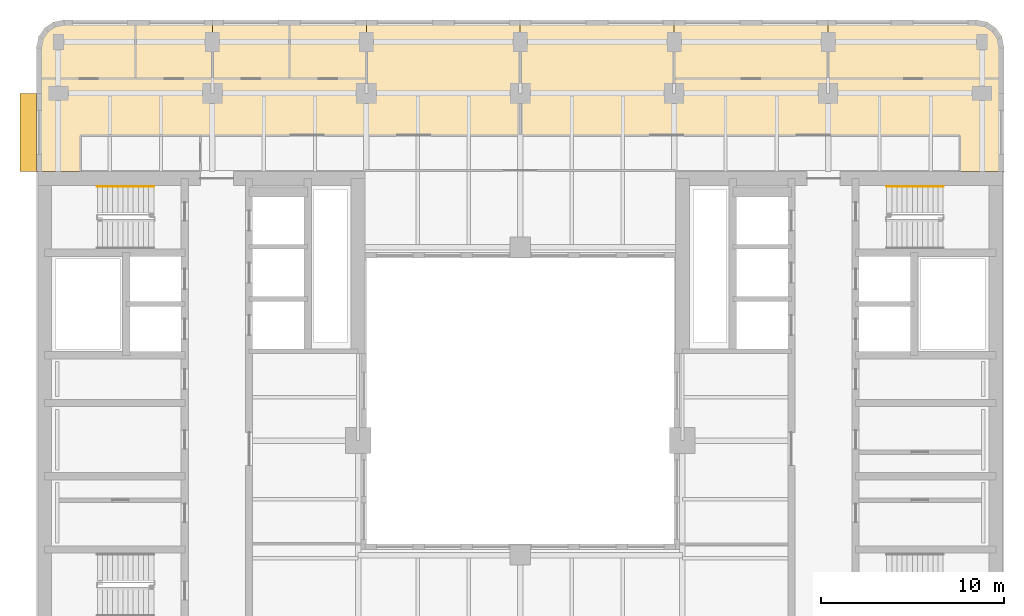
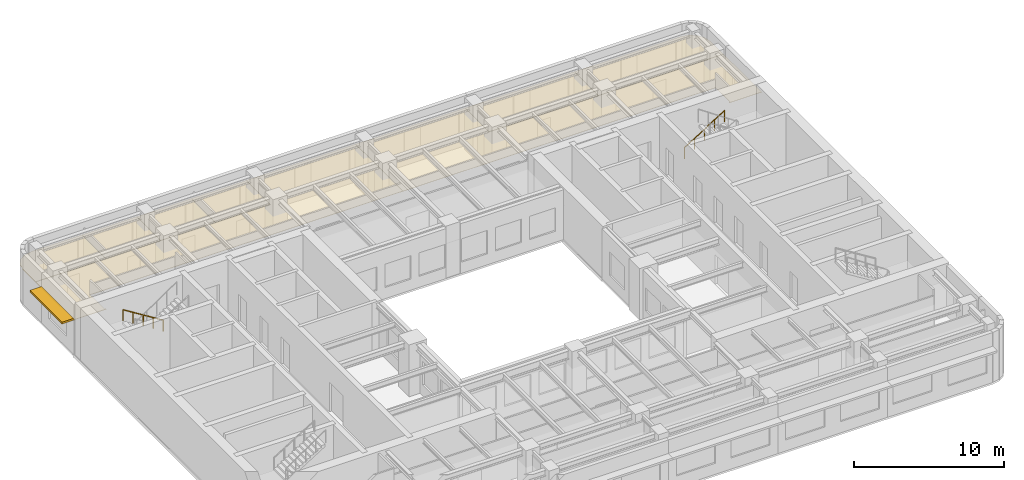
# One storey, part 11 of 11: 8 coverings, 2 railings, 1 shading device.
"""IFC4 building model written with IfcOpenShell, lengths in metres."""

from ifc_helpers import new_model, si_unit, direction, frame, origin, origin_2d, place, context, subcontext, project, spatial, polyline, rectangle, circle, outline, extrude, material, layer, layer_set, type_object, element, save


model = new_model("IFC4")

# Units and contexts
model_context = context("Model", 3, precision=1e-05, world=origin(), true_north=direction((0.0, 1.0)))
body_context = subcontext(model_context, "Body", "Model", "MODEL_VIEW")
ifc_project = project(units=[si_unit("LENGTHUNIT", "METRE"), si_unit("AREAUNIT", "SQUARE_METRE"), si_unit("VOLUMEUNIT", "CUBIC_METRE"), si_unit("PLANEANGLEUNIT", "RADIAN"), si_unit("MASSUNIT", "GRAM", prefix="KILO")], contexts=[model_context])

# Site, building, storey
site_placement = place(None, origin())
site = spatial("IfcSite", under=ifc_project, at=site_placement, CompositionType="ELEMENT")
building_placement = place(site_placement, origin())
building = spatial("IfcBuilding", under=site, at=building_placement, Name="Claustro Exchange Tower", CompositionType="ELEMENT")
storey_placement = place(building_placement, frame((0.0, 0.0, 194.39990234375)))
storey = spatial("IfcBuildingStorey", under=building, at=storey_placement, Name="L44", CompositionType="ELEMENT", Elevation=194.39990234375)

# Coverings
ifc_material_1 = material(Name="Perforated metal ceiling tiles", Category="steel")
ifc_layer_1 = layer(ifc_material_1, 0.030029296875)
ifc_layer_set_1 = layer_set([ifc_layer_1], Name="Perforated metal ceiling tiles")
covering_type_1 = type_object("IfcCoveringType", Name="CL1 suspended metal ceiling", PredefinedType="CEILING", material=ifc_layer_set_1)
covering_1_placement = place(storey_placement, frame((0.0, 0.0, 2.800048828125)))
element("IfcCovering", 1, at=covering_1_placement, inside=storey, type_object=covering_type_1, Name="Ceiling CL1 L44-15", PredefinedType="CEILING", context=body_context, shape_type="SweptSolid", body=[
    extrude(outline(polyline([(-1.125, 37.72509765625), (1.294921875, 37.72509765625), (1.294921875, 37.800048828125), (1.199951171875, 37.800048828125), (1.199951171875, 39.699951171875), (25.199951171875, 39.699951171875), (25.199951171875, 46.0), (16.800048828125, 46.0), (16.800048828125, 42.800048828125), (-1.199951171875, 42.800048828125), (-1.199951171875, 37.705078125), (-1.125, 37.705078125), (-1.125, 37.72509765625)])), origin(), (0.0, 0.0, 1.0), 0.030029296875),
])
ifc_material_2 = material(Name="Gypsum board ceiling", Category="gypsum board")
ifc_layer_2 = layer(ifc_material_2, 0.02490234375)
ifc_layer_set_2 = layer_set([ifc_layer_2], Name="Gypsum board ceiling")
covering_type_2 = type_object("IfcCoveringType", Name="CL2 plasterboard ceiling", PredefinedType="CEILING", material=ifc_layer_set_2)
covering_2_placement = place(storey_placement, frame((0.0, 0.0, 2.800048828125)))
element("IfcCovering", 2, at=covering_2_placement, inside=storey, type_object=covering_type_2, Name="Ceiling CL2 L44-16", PredefinedType="CEILING", context=body_context, shape_type="SweptSolid", body=[
    extrude(outline(polyline([(51.52490234375, 37.72509765625), (51.52490234375, 37.705078125), (51.60009765625, 37.705078125), (51.60009765625, 42.800048828125), (33.60009765625, 42.800048828125), (33.60009765625, 46.0), (25.199951171875, 46.0), (25.199951171875, 39.699951171875), (49.199951171875, 39.699951171875), (49.199951171875, 37.800048828125), (49.10498046875, 37.800048828125), (49.10498046875, 37.72509765625), (51.52490234375, 37.72509765625)])), origin(), (0.0, 0.0, 1.0), 0.025146484375),
])
covering_3_placement = place(storey_placement, frame((0.0, 0.0, 2.800048828125)))
element("IfcCovering", 3, at=covering_3_placement, inside=storey, type_object=covering_type_2, Name="Ceiling CL2 L44-17", PredefinedType="CEILING", context=body_context, shape_type="SweptSolid", body=[
    extrude(outline(polyline([(-1.199951171875, 44.5), (-1.199951171875, 42.800048828125), (4.199951171875, 42.800048828125), (4.199951171875, 46.0), (0.300048828125, 46.0), (-0.27392578125, 45.8857421875), (-0.7607421875, 45.560791015625), (-1.085693359375, 45.073974609375), (-1.199951171875, 44.5)])), origin(), (0.0, 0.0, 1.0), 0.025146484375),
])
covering_4_placement = place(storey_placement, frame((0.0, 0.0, 2.800048828125)))
element("IfcCovering", 4, at=covering_4_placement, inside=storey, type_object=covering_type_2, Name="Ceiling CL2 L44-18", PredefinedType="CEILING", context=body_context, shape_type="SweptSolid", body=[
    extrude(outline(polyline([(8.39990234375, 46.0), (4.199951171875, 46.0), (4.199951171875, 42.800048828125), (8.39990234375, 42.800048828125), (8.39990234375, 46.0)])), origin(), (0.0, 0.0, 1.0), 0.025146484375),
])
covering_5_placement = place(storey_placement, frame((0.0, 0.0, 2.800048828125)))
element("IfcCovering", 5, at=covering_5_placement, inside=storey, type_object=covering_type_2, Name="Ceiling CL2 L44-19", PredefinedType="CEILING", context=body_context, shape_type="SweptSolid", body=[
    extrude(outline(polyline([(12.60009765625, 46.0), (8.39990234375, 46.0), (8.39990234375, 42.800048828125), (12.60009765625, 42.800048828125), (12.60009765625, 46.0)])), origin(), (0.0, 0.0, 1.0), 0.025146484375),
])
covering_6_placement = place(storey_placement, frame((0.0, 0.0, 2.800048828125)))
element("IfcCovering", 6, at=covering_6_placement, inside=storey, type_object=covering_type_2, Name="Ceiling CL2 L44-20", PredefinedType="CEILING", context=body_context, shape_type="SweptSolid", body=[
    extrude(outline(polyline([(16.800048828125, 46.0), (12.60009765625, 46.0), (12.60009765625, 42.800048828125), (16.800048828125, 42.800048828125), (16.800048828125, 46.0)])), origin(), (0.0, 0.0, 1.0), 0.025146484375),
])
covering_7_placement = place(storey_placement, frame((0.0, 0.0, 2.800048828125)))
element("IfcCovering", 7, at=covering_7_placement, inside=storey, type_object=covering_type_2, Name="Ceiling CL2 L44-21", PredefinedType="CEILING", context=body_context, shape_type="SweptSolid", body=[
    extrude(outline(polyline([(42.0, 46.0), (33.60009765625, 46.0), (33.60009765625, 42.800048828125), (42.0, 42.800048828125), (42.0, 46.0)])), origin(), (0.0, 0.0, 1.0), 0.025146484375),
])
covering_8_placement = place(storey_placement, frame((0.0, 0.0, 2.800048828125)))
element("IfcCovering", 8, at=covering_8_placement, inside=storey, type_object=covering_type_2, Name="Ceiling CL2 L44-22", PredefinedType="CEILING", context=body_context, shape_type="SweptSolid", body=[
    extrude(outline(polyline([(50.10009765625, 46.0), (42.0, 46.0), (42.0, 42.800048828125), (51.60009765625, 42.800048828125), (51.60009765625, 44.5), (51.48583984375, 45.073974609375), (51.16064453125, 45.560791015625), (50.674072265625, 45.8857421875), (50.10009765625, 46.0)])), origin(), (0.0, 0.0, 1.0), 0.025146484375),
])

# Railings
ifc_material_3 = material(Name="Stainless steel tube", Category="steel")
railing_type = type_object("IfcRailingType", Name="HR1 900 stair handrail", PredefinedType="HANDRAIL", material=ifc_material_3)
railing_1_placement = place(storey_placement, frame((5.199951171875, 36.9150390625, 0.175048828125)))
element("IfcRailing", 9, at=railing_1_placement, inside=storey, type_object=railing_type, Name="Handrail HR1 stair STWB L44", PredefinedType="HANDRAIL", context=body_context, shape_type="SweptSolid", body=[
    extrude(circle(Radius=0.02392578125, at=origin_2d()), frame((0.0, 0.0, 0.8759765625), z_axis=(-0.847979421464, 0.0, 0.530029150871), x_axis=(0.0, -1.0, 0.0)), (0.0, 0.0, 1.0), 3.632080078125),
    extrude(circle(Radius=0.02099609375, at=origin_2d()), origin(), (0.0, 0.0, 1.0), 0.851806640625),
    extrude(circle(Radius=0.02099609375, at=origin_2d()), frame((-0.77001953125, 0.0, 0.481201171875)), (0.0, 0.0, 1.0), 0.851806640625),
    extrude(circle(Radius=0.02099609375, at=origin_2d()), frame((-1.5400390625, 0.0, 0.96240234375)), (0.0, 0.0, 1.0), 0.851806640625),
    extrude(circle(Radius=0.02099609375, at=origin_2d()), frame((-2.309814453125, 0.0, 1.44384765625)), (0.0, 0.0, 1.0), 0.851806640625),
    extrude(circle(Radius=0.02099609375, at=origin_2d()), frame((-3.079833984375, 0.0, 1.925048828125)), (0.0, 0.0, 1.0), 0.851806640625),
])
railing_2_placement = place(storey_placement, frame((45.199951171875, 36.9150390625, 0.175048828125)))
element("IfcRailing", 10, at=railing_2_placement, inside=storey, type_object=railing_type, Name="Handrail HR1 stair STEB L44", PredefinedType="HANDRAIL", context=body_context, shape_type="SweptSolid", body=[
    extrude(circle(Radius=0.02392578125, at=origin_2d()), frame((0.0, 0.0, 0.8759765625), z_axis=(0.847998304005, 0.0, 0.529998940003), x_axis=(0.0, 1.0, 0.0)), (0.0, 0.0, 1.0), 3.632080078125),
    extrude(circle(Radius=0.02099609375, at=origin_2d()), origin(), (0.0, 0.0, 1.0), 0.851806640625),
    extrude(circle(Radius=0.02099609375, at=origin_2d()), frame((0.77001953125, 0.0, 0.481201171875)), (0.0, 0.0, 1.0), 0.851806640625),
    extrude(circle(Radius=0.02099609375, at=origin_2d()), frame((1.5400390625, 0.0, 0.96240234375)), (0.0, 0.0, 1.0), 0.851806640625),
    extrude(circle(Radius=0.02099609375, at=origin_2d()), frame((2.31005859375, 0.0, 1.44384765625)), (0.0, 0.0, 1.0), 0.851806640625),
    extrude(circle(Radius=0.02099609375, at=origin_2d()), frame((3.080078125, 0.0, 1.925048828125)), (0.0, 0.0, 1.0), 0.851806640625),
])

# Shading device
ifc_material_4 = material(Name="Concrete HA-40 (C40/50), precast, white cement, acid-etched", Category="concrete")
ifc_layer_3 = layer(ifc_material_4, 0.14990234375)
ifc_layer_set_3 = layer_set([ifc_layer_3], Name="Concrete HA-40 (C40/50), precast, white cement, acid-etched")
shading_device_type = type_object("IfcShadingDeviceType", Name="SS2 900 precast concrete SUNSHADE", PredefinedType="SHUTTER", material=ifc_layer_set_3)
shading_device_placement = place(storey_placement, frame((-1.64990234375, 39.862548828125, 2.800048828125), z_axis=(0.0, 0.0, 1.0), x_axis=(0.0, 1.0, 0.0)))
element("IfcShadingDevice", 11, at=shading_device_placement, inside=storey, type_object=shading_device_type, Name="Precast SUNSHADE SS2 L44", PredefinedType="SHUTTER", context=body_context, shape_type="SweptSolid", body=[
    extrude(rectangle(XDim=4.27490234375, YDim=0.89990234375, at=origin_2d()), origin(), (0.0, 0.0, 1.0), 0.14990234375),
])

save(model, "model.ifc")
